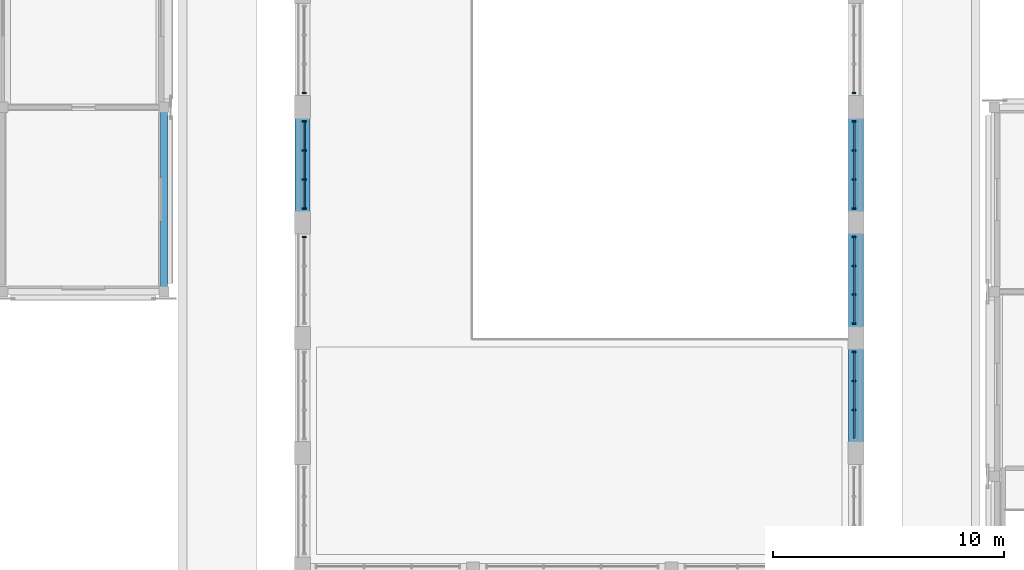
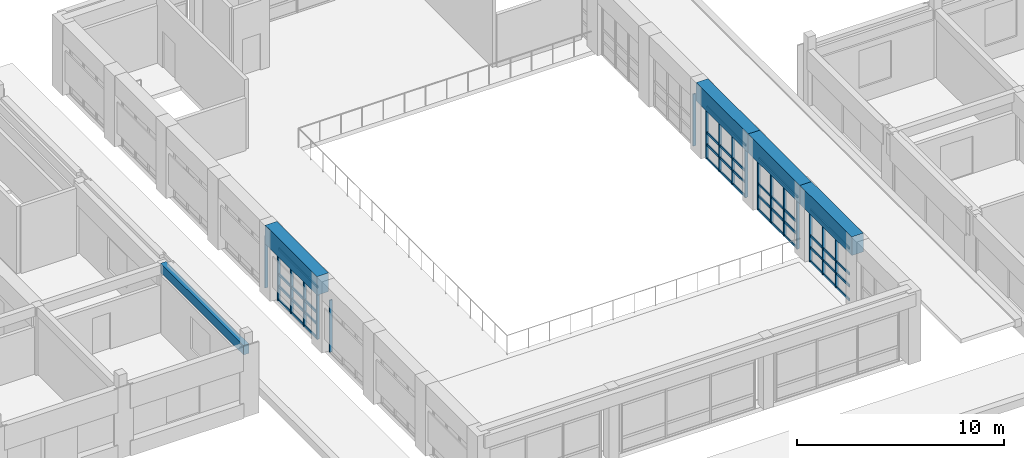
# One storey, part 16 of 97: 34 members, 5 beams, 7 elements without a shape of their own.
"""IFC4 building model written with IfcOpenShell, lengths in metres."""

from ifc_helpers import new_model, si_unit, direction, frame, origin, origin_2d, place, context, subcontext, project, spatial, rectangle, extrude, material, material_profile, profile_set, type_object, element, aggregate, save


model = new_model("IFC4")

# Units and contexts
model_context = context("Model", 3, precision=1e-05, world=origin(), true_north=direction((0.0, 1.0)))
body_context = subcontext(model_context, "Body", "Model", "MODEL_VIEW")
ifc_project = project(units=[si_unit("LENGTHUNIT", "METRE"), si_unit("AREAUNIT", "SQUARE_METRE"), si_unit("VOLUMEUNIT", "CUBIC_METRE"), si_unit("PLANEANGLEUNIT", "RADIAN"), si_unit("MASSUNIT", "GRAM", prefix="KILO")], contexts=[model_context])

# Site, building, storey
site_placement = place(None, origin())
site = spatial("IfcSite", under=ifc_project, at=site_placement, CompositionType="ELEMENT")
building_placement = place(site_placement, origin())
building = spatial("IfcBuilding", under=site, at=building_placement, Name="Kiranvali Square Residences", CompositionType="ELEMENT")
storey_placement = place(building_placement, frame((0.0, 0.0, 4.5)))
storey = spatial("IfcBuildingStorey", under=building, at=storey_placement, Name="L01", CompositionType="ELEMENT", Elevation=4.5)

# Beams
ifc_material_1 = material(Name="Concrete M40 (40 MPa)", Category="concrete")
ifc_material_profile_1 = material_profile(ifc_material_1, rectangle(XDim=0.300048828125, YDim=0.550048828125, at=origin_2d()), Name="RC 300x550")
ifc_profile_set_1 = profile_set([ifc_material_profile_1], Name="Concrete M40 (40 MPa)")
beam_type_1 = type_object("IfcBeamType", Name="BM-M40-300x550", PredefinedType="BEAM", material=ifc_profile_set_1)
beam_placement = place(storey_placement, frame((66.0, 56.0, 3.72509765625), z_axis=(0.0, 1.0, 0.0), x_axis=(-1.0, 0.0, 0.0)))
element("IfcBeam", 1, at=beam_placement, inside=storey, type_object=beam_type_1, Name="L01 beam BM-NR-L01-Y4-0", PredefinedType="BEAM", context=body_context, shape_type="SweptSolid", body=[
    extrude(rectangle(XDim=0.300048828125, YDim=0.550048828125, at=origin_2d()), origin(), (0.0, 0.0, 1.0), 8.0),
])
ifc_material_2 = material(Name="Concrete M45 (45 MPa)", Category="concrete")
ifc_material_profile_2 = material_profile(ifc_material_2, rectangle(XDim=0.64990234375, YDim=1.10009765625, at=origin_2d()), Name="RC 650x1100")
ifc_profile_set_2 = profile_set([ifc_material_profile_2], Name="Concrete M45 (45 MPa)")
beam_type_2 = type_object("IfcBeamType", Name="BM-RING-650x1100", PredefinedType="BEAM", material=ifc_profile_set_2)
for number, where, z_axis, x_axis, name in (
    (2, (96.0, 49.0, 3.64990234375), (0.0, 1.0, 0.0), (-1.0, 0.0, 0.0), "Community Hall longitudinal vault ring beam E-2"),
    (3, (96.0, 54.0, 3.64990234375), (0.0, 1.0, 0.0), (-1.0, 0.0, 0.0), "Community Hall longitudinal vault ring beam E-3"),
    (4, (72.0, 59.0, 3.64990234375), (0.0, 1.0, 0.0), (-1.0, 0.0, 0.0), "Community Hall longitudinal vault ring beam W-4"),
    (5, (96.0, 59.0, 3.64990234375), (0.0, 1.0, 0.0), (-1.0, 0.0, 0.0), "Community Hall longitudinal vault ring beam E-4"),
):
    element("IfcBeam", number, at=place(storey_placement, frame(where, z_axis=z_axis, x_axis=x_axis)), inside=storey, type_object=beam_type_2, Name=name, PredefinedType="BEAM", context=body_context, shape_type="SweptSolid", body=[
        extrude(rectangle(XDim=0.64990234375, YDim=1.10009765625, at=origin_2d()), origin(), (0.0, 0.0, 1.0), 5.0),
    ])

# Curtain wall, members
ifc_material_3 = material(Name="Anodised bronze aluminium framing", Category="aluminium")
curtain_wall_type = type_object("IfcCurtainWallType", Name="CW-CH-GLZ", PredefinedType="USERDEFINED", material=ifc_material_3)
curtain_wall_1_placement = place(storey_placement, origin())
curtain_wall_1 = element("IfcCurtainWall", 6, at=curtain_wall_1_placement, inside=storey, type_object=curtain_wall_type, Name="Community Hall L01 E clerestory bay 2", ObjectType="CURTAIN WALL", PredefinedType="USERDEFINED")
ifc_material_profile_3 = material_profile(ifc_material_3, rectangle(XDim=0.06494140625, YDim=0.159912109375, at=origin_2d()), Name="ALU 65x160")
ifc_profile_set_3 = profile_set([ifc_material_profile_3], Name="Anodised bronze aluminium framing")
member_type_1 = type_object("IfcMemberType", Name="CW-MUL-160", PredefinedType="MULLION", material=ifc_profile_set_3)
member_1_placement = place(storey_placement, frame((95.919921875, 50.873291015625, 0.02001953125), z_axis=(0.0, 0.0, 1.0), x_axis=(0.0, 1.0, 0.0)))
member_1 = element("IfcMember", 7, at=member_1_placement, type_object=member_type_1, Name="CW-CH-L01-E2 vertical mullion 2", PredefinedType="MULLION", context=body_context, shape_type="SweptSolid", body=[
    extrude(rectangle(XDim=0.06494140625, YDim=0.159912109375, at=origin_2d()), origin(), (0.0, 0.0, 1.0), 3.06005859375),
])
member_2_placement = place(storey_placement, frame((95.919921875, 52.126708984375, 0.02001953125), z_axis=(0.0, 0.0, 1.0), x_axis=(0.0, 1.0, 0.0)))
member_2 = element("IfcMember", 8, at=member_2_placement, type_object=member_type_1, Name="CW-CH-L01-E2 vertical mullion 3", PredefinedType="MULLION", context=body_context, shape_type="SweptSolid", body=[
    extrude(rectangle(XDim=0.06494140625, YDim=0.159912109375, at=origin_2d()), origin(), (0.0, 0.0, 1.0), 3.06005859375),
])
member_3_placement = place(storey_placement, frame((95.919921875, 53.3798828125, 0.02001953125), z_axis=(0.0, 0.0, 1.0), x_axis=(0.0, 1.0, 0.0)))
member_3 = element("IfcMember", 9, at=member_3_placement, type_object=member_type_1, Name="CW-CH-L01-E2 vertical mullion 4", PredefinedType="MULLION", context=body_context, shape_type="SweptSolid", body=[
    extrude(rectangle(XDim=0.06494140625, YDim=0.159912109375, at=origin_2d()), origin(), (0.0, 0.0, 1.0), 3.06005859375),
])

# Curtain wall, member
curtain_wall_2_placement = place(storey_placement, origin())
curtain_wall_2 = element("IfcCurtainWall", 10, at=curtain_wall_2_placement, inside=storey, type_object=curtain_wall_type, Name="Community Hall L01 W clerestory bay 3", ObjectType="CURTAIN WALL", PredefinedType="USERDEFINED")
member_4_placement = place(storey_placement, frame((72.080078125, 58.3798828125, 0.02001953125), z_axis=(0.0, 0.0, 1.0), x_axis=(0.0, 1.0, 0.0)))
member_4 = element("IfcMember", 11, at=member_4_placement, type_object=member_type_1, Name="CW-CH-L01-W3 vertical mullion 4", PredefinedType="MULLION", context=body_context, shape_type="SweptSolid", body=[
    extrude(rectangle(XDim=0.06494140625, YDim=0.159912109375, at=origin_2d()), origin(), (0.0, 0.0, 1.0), 3.06005859375),
])
aggregate(curtain_wall_2, [member_4])

# Curtain wall, members
curtain_wall_3_placement = place(storey_placement, origin())
curtain_wall_3 = element("IfcCurtainWall", 12, at=curtain_wall_3_placement, inside=storey, type_object=curtain_wall_type, Name="Community Hall L01 E clerestory bay 3", ObjectType="CURTAIN WALL", PredefinedType="USERDEFINED")
member_5_placement = place(storey_placement, frame((95.919921875, 54.6201171875, 0.02001953125), z_axis=(0.0, 0.0, 1.0), x_axis=(0.0, 1.0, 0.0)))
member_5 = element("IfcMember", 13, at=member_5_placement, type_object=member_type_1, Name="CW-CH-L01-E3 vertical mullion 1", PredefinedType="MULLION", context=body_context, shape_type="SweptSolid", body=[
    extrude(rectangle(XDim=0.06494140625, YDim=0.159912109375, at=origin_2d()), origin(), (0.0, 0.0, 1.0), 3.06005859375),
])
member_6_placement = place(storey_placement, frame((95.919921875, 55.873291015625, 0.02001953125), z_axis=(0.0, 0.0, 1.0), x_axis=(0.0, 1.0, 0.0)))
member_6 = element("IfcMember", 14, at=member_6_placement, type_object=member_type_1, Name="CW-CH-L01-E3 vertical mullion 2", PredefinedType="MULLION", context=body_context, shape_type="SweptSolid", body=[
    extrude(rectangle(XDim=0.06494140625, YDim=0.159912109375, at=origin_2d()), origin(), (0.0, 0.0, 1.0), 3.06005859375),
])
member_7_placement = place(storey_placement, frame((95.919921875, 57.126708984375, 0.02001953125), z_axis=(0.0, 0.0, 1.0), x_axis=(0.0, 1.0, 0.0)))
member_7 = element("IfcMember", 15, at=member_7_placement, type_object=member_type_1, Name="CW-CH-L01-E3 vertical mullion 3", PredefinedType="MULLION", context=body_context, shape_type="SweptSolid", body=[
    extrude(rectangle(XDim=0.06494140625, YDim=0.159912109375, at=origin_2d()), origin(), (0.0, 0.0, 1.0), 3.06005859375),
])
member_8_placement = place(storey_placement, frame((95.919921875, 58.3798828125, 0.02001953125), z_axis=(0.0, 0.0, 1.0), x_axis=(0.0, 1.0, 0.0)))
member_8 = element("IfcMember", 16, at=member_8_placement, type_object=member_type_1, Name="CW-CH-L01-E3 vertical mullion 4", PredefinedType="MULLION", context=body_context, shape_type="SweptSolid", body=[
    extrude(rectangle(XDim=0.06494140625, YDim=0.159912109375, at=origin_2d()), origin(), (0.0, 0.0, 1.0), 3.06005859375),
])

curtain_wall_4_placement = place(storey_placement, origin())
curtain_wall_4 = element("IfcCurtainWall", 17, at=curtain_wall_4_placement, inside=storey, type_object=curtain_wall_type, Name="Community Hall L01 W clerestory bay 4", ObjectType="CURTAIN WALL", PredefinedType="USERDEFINED")
member_9_placement = place(storey_placement, frame((72.080078125, 59.6201171875, 0.02001953125), z_axis=(0.0, 0.0, 1.0), x_axis=(0.0, 1.0, 0.0)))
member_9 = element("IfcMember", 18, at=member_9_placement, type_object=member_type_1, Name="CW-CH-L01-W4 vertical mullion 1", PredefinedType="MULLION", context=body_context, shape_type="SweptSolid", body=[
    extrude(rectangle(XDim=0.06494140625, YDim=0.159912109375, at=origin_2d()), origin(), (0.0, 0.0, 1.0), 3.06005859375),
])
member_10_placement = place(storey_placement, frame((72.080078125, 60.873291015625, 0.02001953125), z_axis=(0.0, 0.0, 1.0), x_axis=(0.0, 1.0, 0.0)))
member_10 = element("IfcMember", 19, at=member_10_placement, type_object=member_type_1, Name="CW-CH-L01-W4 vertical mullion 2", PredefinedType="MULLION", context=body_context, shape_type="SweptSolid", body=[
    extrude(rectangle(XDim=0.06494140625, YDim=0.159912109375, at=origin_2d()), origin(), (0.0, 0.0, 1.0), 3.06005859375),
])
member_11_placement = place(storey_placement, frame((72.080078125, 62.126708984375, 0.02001953125), z_axis=(0.0, 0.0, 1.0), x_axis=(0.0, 1.0, 0.0)))
member_11 = element("IfcMember", 20, at=member_11_placement, type_object=member_type_1, Name="CW-CH-L01-W4 vertical mullion 3", PredefinedType="MULLION", context=body_context, shape_type="SweptSolid", body=[
    extrude(rectangle(XDim=0.06494140625, YDim=0.159912109375, at=origin_2d()), origin(), (0.0, 0.0, 1.0), 3.06005859375),
])
member_12_placement = place(storey_placement, frame((72.080078125, 63.3798828125, 0.02001953125), z_axis=(0.0, 0.0, 1.0), x_axis=(0.0, 1.0, 0.0)))
member_12 = element("IfcMember", 21, at=member_12_placement, type_object=member_type_1, Name="CW-CH-L01-W4 vertical mullion 4", PredefinedType="MULLION", context=body_context, shape_type="SweptSolid", body=[
    extrude(rectangle(XDim=0.06494140625, YDim=0.159912109375, at=origin_2d()), origin(), (0.0, 0.0, 1.0), 3.06005859375),
])

curtain_wall_5_placement = place(storey_placement, origin())
curtain_wall_5 = element("IfcCurtainWall", 22, at=curtain_wall_5_placement, inside=storey, type_object=curtain_wall_type, Name="Community Hall L01 E clerestory bay 4", ObjectType="CURTAIN WALL", PredefinedType="USERDEFINED")
member_13_placement = place(storey_placement, frame((95.919921875, 59.6201171875, 0.02001953125), z_axis=(0.0, 0.0, 1.0), x_axis=(0.0, 1.0, 0.0)))
member_13 = element("IfcMember", 23, at=member_13_placement, type_object=member_type_1, Name="CW-CH-L01-E4 vertical mullion 1", PredefinedType="MULLION", context=body_context, shape_type="SweptSolid", body=[
    extrude(rectangle(XDim=0.06494140625, YDim=0.159912109375, at=origin_2d()), origin(), (0.0, 0.0, 1.0), 3.06005859375),
])
member_14_placement = place(storey_placement, frame((95.919921875, 60.873291015625, 0.02001953125), z_axis=(0.0, 0.0, 1.0), x_axis=(0.0, 1.0, 0.0)))
member_14 = element("IfcMember", 24, at=member_14_placement, type_object=member_type_1, Name="CW-CH-L01-E4 vertical mullion 2", PredefinedType="MULLION", context=body_context, shape_type="SweptSolid", body=[
    extrude(rectangle(XDim=0.06494140625, YDim=0.159912109375, at=origin_2d()), origin(), (0.0, 0.0, 1.0), 3.06005859375),
])
member_15_placement = place(storey_placement, frame((95.919921875, 62.126708984375, 0.02001953125), z_axis=(0.0, 0.0, 1.0), x_axis=(0.0, 1.0, 0.0)))
member_15 = element("IfcMember", 25, at=member_15_placement, type_object=member_type_1, Name="CW-CH-L01-E4 vertical mullion 3", PredefinedType="MULLION", context=body_context, shape_type="SweptSolid", body=[
    extrude(rectangle(XDim=0.06494140625, YDim=0.159912109375, at=origin_2d()), origin(), (0.0, 0.0, 1.0), 3.06005859375),
])
member_16_placement = place(storey_placement, frame((95.919921875, 63.3798828125, 0.02001953125), z_axis=(0.0, 0.0, 1.0), x_axis=(0.0, 1.0, 0.0)))
member_16 = element("IfcMember", 26, at=member_16_placement, type_object=member_type_1, Name="CW-CH-L01-E4 vertical mullion 4", PredefinedType="MULLION", context=body_context, shape_type="SweptSolid", body=[
    extrude(rectangle(XDim=0.06494140625, YDim=0.159912109375, at=origin_2d()), origin(), (0.0, 0.0, 1.0), 3.06005859375),
])

# Curtain wall, member
curtain_wall_6_placement = place(storey_placement, origin())
curtain_wall_6 = element("IfcCurtainWall", 27, at=curtain_wall_6_placement, inside=storey, type_object=curtain_wall_type, Name="Community Hall L01 W clerestory bay 5", ObjectType="CURTAIN WALL", PredefinedType="USERDEFINED")
member_17_placement = place(storey_placement, frame((72.080078125, 64.6201171875, 0.02001953125), z_axis=(0.0, 0.0, 1.0), x_axis=(0.0, 1.0, 0.0)))
member_17 = element("IfcMember", 28, at=member_17_placement, type_object=member_type_1, Name="CW-CH-L01-W5 vertical mullion 1", PredefinedType="MULLION", context=body_context, shape_type="SweptSolid", body=[
    extrude(rectangle(XDim=0.06494140625, YDim=0.159912109375, at=origin_2d()), origin(), (0.0, 0.0, 1.0), 3.06005859375),
])
aggregate(curtain_wall_6, [member_17])

curtain_wall_7_placement = place(storey_placement, origin())
curtain_wall_7 = element("IfcCurtainWall", 29, at=curtain_wall_7_placement, inside=storey, type_object=curtain_wall_type, Name="Community Hall L01 E clerestory bay 5", ObjectType="CURTAIN WALL", PredefinedType="USERDEFINED")
member_18_placement = place(storey_placement, frame((95.919921875, 64.6201171875, 0.02001953125), z_axis=(0.0, 0.0, 1.0), x_axis=(0.0, 1.0, 0.0)))
member_18 = element("IfcMember", 30, at=member_18_placement, type_object=member_type_1, Name="CW-CH-L01-E5 vertical mullion 1", PredefinedType="MULLION", context=body_context, shape_type="SweptSolid", body=[
    extrude(rectangle(XDim=0.06494140625, YDim=0.159912109375, at=origin_2d()), origin(), (0.0, 0.0, 1.0), 3.06005859375),
])
aggregate(curtain_wall_7, [member_18])

# Member
ifc_material_profile_4 = material_profile(ifc_material_3, rectangle(XDim=0.06494140625, YDim=0.139892578125, at=origin_2d()), Name="ALU 65x140")
ifc_profile_set_4 = profile_set([ifc_material_profile_4], Name="Anodised bronze aluminium framing")
member_type_2 = type_object("IfcMemberType", Name="CW-TRN-140", PredefinedType="MULLION", material=ifc_profile_set_4)
member_19_placement = place(storey_placement, frame((95.919921875, 49.6298828125, 0.0400390625), z_axis=(0.0, 1.0, 0.0), x_axis=(-1.0, 0.0, 0.0)))
member_19 = element("IfcMember", 31, at=member_19_placement, type_object=member_type_2, Name="CW-CH-L01-E2 horizontal transom 1", PredefinedType="MULLION", context=body_context, shape_type="SweptSolid", body=[
    extrude(rectangle(XDim=0.06494140625, YDim=0.139892578125, at=origin_2d()), origin(), (0.0, 0.0, 1.0), 3.740234375),
])

member_20_placement = place(storey_placement, frame((95.919921875, 49.6298828125, 0.85009765625), z_axis=(0.0, 1.0, 0.0), x_axis=(-1.0, 0.0, 0.0)))
member_20 = element("IfcMember", 32, at=member_20_placement, type_object=member_type_2, Name="CW-CH-L01-E2 horizontal transom 2", PredefinedType="MULLION", context=body_context, shape_type="SweptSolid", body=[
    extrude(rectangle(XDim=0.06494140625, YDim=0.139892578125, at=origin_2d()), origin(), (0.0, 0.0, 1.0), 3.740234375),
])

member_21_placement = place(storey_placement, frame((95.919921875, 49.6298828125, 1.550048828125), z_axis=(0.0, 1.0, 0.0), x_axis=(-1.0, 0.0, 0.0)))
member_21 = element("IfcMember", 33, at=member_21_placement, type_object=member_type_2, Name="CW-CH-L01-E2 horizontal transom 3", PredefinedType="MULLION", context=body_context, shape_type="SweptSolid", body=[
    extrude(rectangle(XDim=0.06494140625, YDim=0.139892578125, at=origin_2d()), origin(), (0.0, 0.0, 1.0), 3.740234375),
])

member_22_placement = place(storey_placement, frame((95.919921875, 49.6298828125, 3.06005859375), z_axis=(0.0, 1.0, 0.0), x_axis=(-1.0, 0.0, 0.0)))
member_22 = element("IfcMember", 34, at=member_22_placement, type_object=member_type_2, Name="CW-CH-L01-E2 horizontal transom 4", PredefinedType="MULLION", context=body_context, shape_type="SweptSolid", body=[
    extrude(rectangle(XDim=0.06494140625, YDim=0.139892578125, at=origin_2d()), origin(), (0.0, 0.0, 1.0), 3.740234375),
])

aggregate(curtain_wall_1, [member_1, member_2, member_3, member_19, member_20, member_21, member_22])

member_23_placement = place(storey_placement, frame((95.919921875, 54.6298828125, 0.0400390625), z_axis=(0.0, 1.0, 0.0), x_axis=(-1.0, 0.0, 0.0)))
member_23 = element("IfcMember", 35, at=member_23_placement, type_object=member_type_2, Name="CW-CH-L01-E3 horizontal transom 1", PredefinedType="MULLION", context=body_context, shape_type="SweptSolid", body=[
    extrude(rectangle(XDim=0.06494140625, YDim=0.139892578125, at=origin_2d()), origin(), (0.0, 0.0, 1.0), 3.740234375),
])

member_24_placement = place(storey_placement, frame((95.919921875, 54.6298828125, 0.85009765625), z_axis=(0.0, 1.0, 0.0), x_axis=(-1.0, 0.0, 0.0)))
member_24 = element("IfcMember", 36, at=member_24_placement, type_object=member_type_2, Name="CW-CH-L01-E3 horizontal transom 2", PredefinedType="MULLION", context=body_context, shape_type="SweptSolid", body=[
    extrude(rectangle(XDim=0.06494140625, YDim=0.139892578125, at=origin_2d()), origin(), (0.0, 0.0, 1.0), 3.740234375),
])

member_25_placement = place(storey_placement, frame((95.919921875, 54.6298828125, 1.550048828125), z_axis=(0.0, 1.0, 0.0), x_axis=(-1.0, 0.0, 0.0)))
member_25 = element("IfcMember", 37, at=member_25_placement, type_object=member_type_2, Name="CW-CH-L01-E3 horizontal transom 3", PredefinedType="MULLION", context=body_context, shape_type="SweptSolid", body=[
    extrude(rectangle(XDim=0.06494140625, YDim=0.139892578125, at=origin_2d()), origin(), (0.0, 0.0, 1.0), 3.740234375),
])

member_26_placement = place(storey_placement, frame((95.919921875, 54.6298828125, 3.06005859375), z_axis=(0.0, 1.0, 0.0), x_axis=(-1.0, 0.0, 0.0)))
member_26 = element("IfcMember", 38, at=member_26_placement, type_object=member_type_2, Name="CW-CH-L01-E3 horizontal transom 4", PredefinedType="MULLION", context=body_context, shape_type="SweptSolid", body=[
    extrude(rectangle(XDim=0.06494140625, YDim=0.139892578125, at=origin_2d()), origin(), (0.0, 0.0, 1.0), 3.740234375),
])

aggregate(curtain_wall_3, [member_5, member_6, member_7, member_8, member_23, member_24, member_25, member_26])

member_27_placement = place(storey_placement, frame((72.080078125, 59.6298828125, 0.0400390625), z_axis=(0.0, 1.0, 0.0), x_axis=(-1.0, 0.0, 0.0)))
member_27 = element("IfcMember", 39, at=member_27_placement, type_object=member_type_2, Name="CW-CH-L01-W4 horizontal transom 1", PredefinedType="MULLION", context=body_context, shape_type="SweptSolid", body=[
    extrude(rectangle(XDim=0.06494140625, YDim=0.139892578125, at=origin_2d()), origin(), (0.0, 0.0, 1.0), 3.740234375),
])

member_28_placement = place(storey_placement, frame((72.080078125, 59.6298828125, 0.85009765625), z_axis=(0.0, 1.0, 0.0), x_axis=(-1.0, 0.0, 0.0)))
member_28 = element("IfcMember", 40, at=member_28_placement, type_object=member_type_2, Name="CW-CH-L01-W4 horizontal transom 2", PredefinedType="MULLION", context=body_context, shape_type="SweptSolid", body=[
    extrude(rectangle(XDim=0.06494140625, YDim=0.139892578125, at=origin_2d()), origin(), (0.0, 0.0, 1.0), 3.740234375),
])

member_29_placement = place(storey_placement, frame((72.080078125, 59.6298828125, 1.550048828125), z_axis=(0.0, 1.0, 0.0), x_axis=(-1.0, 0.0, 0.0)))
member_29 = element("IfcMember", 41, at=member_29_placement, type_object=member_type_2, Name="CW-CH-L01-W4 horizontal transom 3", PredefinedType="MULLION", context=body_context, shape_type="SweptSolid", body=[
    extrude(rectangle(XDim=0.06494140625, YDim=0.139892578125, at=origin_2d()), origin(), (0.0, 0.0, 1.0), 3.740234375),
])

member_30_placement = place(storey_placement, frame((72.080078125, 59.6298828125, 3.06005859375), z_axis=(0.0, 1.0, 0.0), x_axis=(-1.0, 0.0, 0.0)))
member_30 = element("IfcMember", 42, at=member_30_placement, type_object=member_type_2, Name="CW-CH-L01-W4 horizontal transom 4", PredefinedType="MULLION", context=body_context, shape_type="SweptSolid", body=[
    extrude(rectangle(XDim=0.06494140625, YDim=0.139892578125, at=origin_2d()), origin(), (0.0, 0.0, 1.0), 3.740234375),
])

aggregate(curtain_wall_4, [member_9, member_10, member_11, member_12, member_27, member_28, member_29, member_30])

member_31_placement = place(storey_placement, frame((95.919921875, 59.6298828125, 0.0400390625), z_axis=(0.0, 1.0, 0.0), x_axis=(-1.0, 0.0, 0.0)))
member_31 = element("IfcMember", 43, at=member_31_placement, type_object=member_type_2, Name="CW-CH-L01-E4 horizontal transom 1", PredefinedType="MULLION", context=body_context, shape_type="SweptSolid", body=[
    extrude(rectangle(XDim=0.06494140625, YDim=0.139892578125, at=origin_2d()), origin(), (0.0, 0.0, 1.0), 3.740234375),
])

member_32_placement = place(storey_placement, frame((95.919921875, 59.6298828125, 0.85009765625), z_axis=(0.0, 1.0, 0.0), x_axis=(-1.0, 0.0, 0.0)))
member_32 = element("IfcMember", 44, at=member_32_placement, type_object=member_type_2, Name="CW-CH-L01-E4 horizontal transom 2", PredefinedType="MULLION", context=body_context, shape_type="SweptSolid", body=[
    extrude(rectangle(XDim=0.06494140625, YDim=0.139892578125, at=origin_2d()), origin(), (0.0, 0.0, 1.0), 3.740234375),
])

member_33_placement = place(storey_placement, frame((95.919921875, 59.6298828125, 1.550048828125), z_axis=(0.0, 1.0, 0.0), x_axis=(-1.0, 0.0, 0.0)))
member_33 = element("IfcMember", 45, at=member_33_placement, type_object=member_type_2, Name="CW-CH-L01-E4 horizontal transom 3", PredefinedType="MULLION", context=body_context, shape_type="SweptSolid", body=[
    extrude(rectangle(XDim=0.06494140625, YDim=0.139892578125, at=origin_2d()), origin(), (0.0, 0.0, 1.0), 3.740234375),
])

member_34_placement = place(storey_placement, frame((95.919921875, 59.6298828125, 3.06005859375), z_axis=(0.0, 1.0, 0.0), x_axis=(-1.0, 0.0, 0.0)))
member_34 = element("IfcMember", 46, at=member_34_placement, type_object=member_type_2, Name="CW-CH-L01-E4 horizontal transom 4", PredefinedType="MULLION", context=body_context, shape_type="SweptSolid", body=[
    extrude(rectangle(XDim=0.06494140625, YDim=0.139892578125, at=origin_2d()), origin(), (0.0, 0.0, 1.0), 3.740234375),
])

aggregate(curtain_wall_5, [member_13, member_14, member_15, member_16, member_31, member_32, member_33, member_34])

save(model, "model.ifc")
